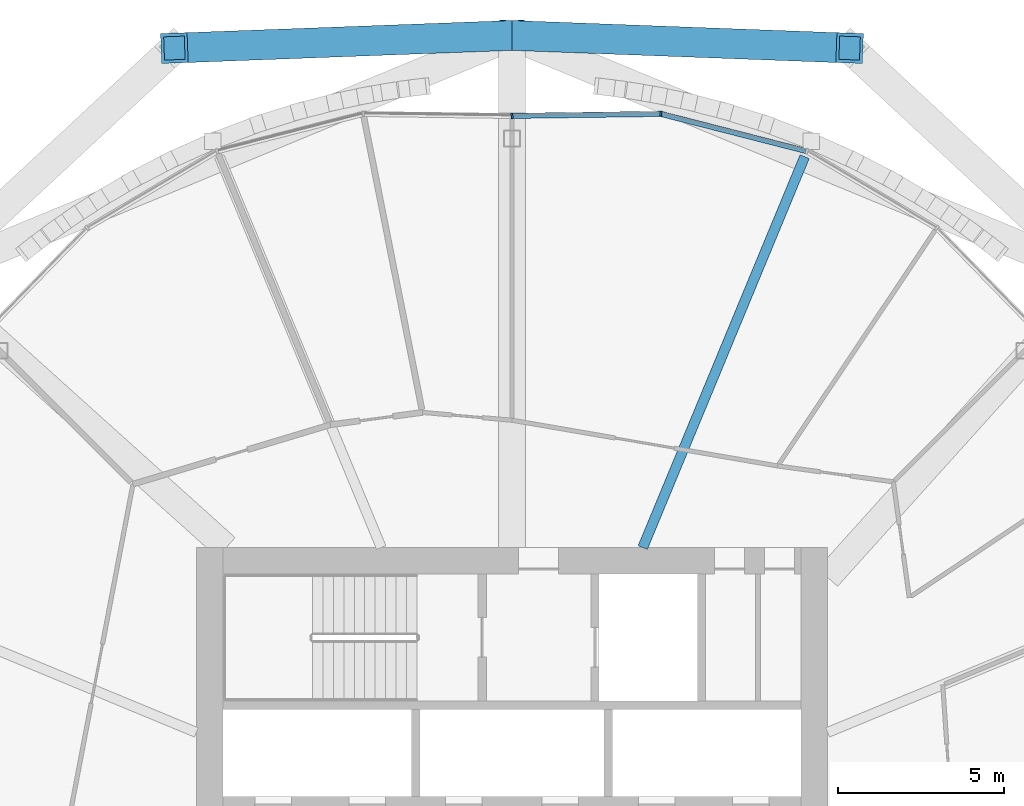
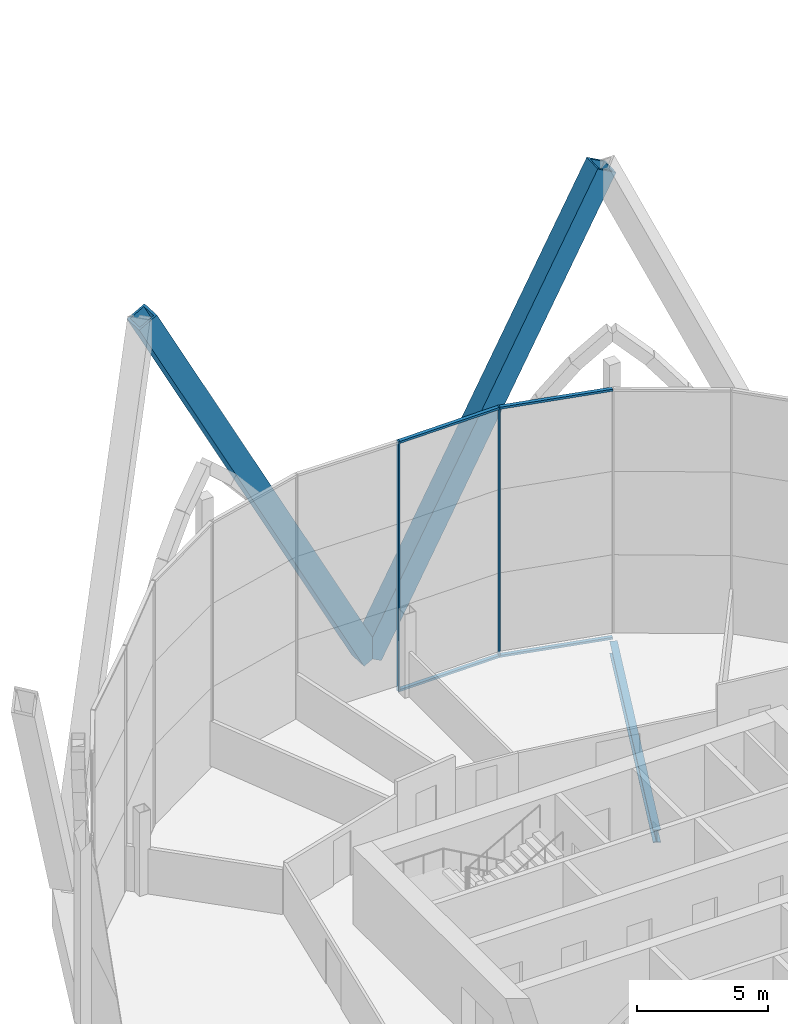
# One storey, part 11 of 37: 8 members, 1 beam, 1 element without a shape of its own.
"""IFC4 building model written with IfcOpenShell, lengths in metres."""

from ifc_helpers import new_model, si_unit, direction, frame, origin, origin_2d, place, context, subcontext, project, spatial, rectangle, hollow_rectangle, i_section, extrude, material, material_profile, profile_set, type_object, element, aggregate, save


model = new_model("IFC4")

# Units and contexts
model_context = context("Model", 3, precision=1e-05, world=origin(), true_north=direction((0.0, 1.0)))
body_context = subcontext(model_context, "Body", "Model", "MODEL_VIEW")
ifc_project = project(units=[si_unit("LENGTHUNIT", "METRE"), si_unit("AREAUNIT", "SQUARE_METRE"), si_unit("VOLUMEUNIT", "CUBIC_METRE"), si_unit("PLANEANGLEUNIT", "RADIAN"), si_unit("MASSUNIT", "GRAM", prefix="KILO")], contexts=[model_context])

# Site, building, storey
site_placement = place(None, origin())
site = spatial("IfcSite", under=ifc_project, at=site_placement, CompositionType="ELEMENT")
building_placement = place(site_placement, origin())
building = spatial("IfcBuilding", under=site, at=building_placement, Name="Ogive Gate Towers", CompositionType="ELEMENT")
storey_placement = place(building_placement, frame((0.0, 0.0, 32.39990234375)))
storey = spatial("IfcBuildingStorey", under=building, at=storey_placement, Name="L06", CompositionType="ELEMENT", Elevation=32.39990234375)

# Members
ifc_material_1 = material(Name="Steel SM460", Category="steel")
ifc_material_profile_1 = material_profile(ifc_material_1, hollow_rectangle(XDim=0.89990234375, YDim=0.89990234375, WallThickness=0.10009765625, at=origin_2d()), Name="BX 900x900x100")
ifc_profile_set_1 = profile_set([ifc_material_profile_1], Name="Steel SM460")
member_type_1 = type_object("IfcMemberType", Name="Diagrid diagonal BX 900x900x100", PredefinedType="BRACE", material=ifc_profile_set_1)
for number, where, z_axis, x_axis, name in (
    (1, (-36.0, 24.909912109375, 0.0), (0.462004857089, -0.017318521171, 0.886708283964), (0.037459273404, 0.999298155125, 0.0), "T1/L06/SDG005"),
    (2, (-36.0, 24.909912109375, 0.0), (-0.462004857089, -0.017318521171, 0.886708283964), (0.037459273404, -0.999298155125, 0.0), "T1/L06/SDG006"),
):
    element("IfcMember", number, at=place(storey_placement, frame(where, z_axis=z_axis, x_axis=x_axis)), inside=storey, type_object=member_type_1, Name=name, PredefinedType="BRACE", context=body_context, shape_type="SweptSolid", body=[
        extrude(hollow_rectangle(XDim=0.89990234375, YDim=0.89990234375, WallThickness=0.10009765625, at=origin_2d()), origin(), (0.0, 0.0, 1.0), 21.991455078125),
    ])

# Beam
ifc_material_2 = material(Name="Steel SM355", Category="steel")
ifc_material_profile_2 = material_profile(ifc_material_2, i_section(OverallWidth=0.300048828125, OverallDepth=0.590087890625, WebThickness=0.012939453125, FlangeThickness=0.02490234375, FilletRadius=0.027099609375, at=origin_2d()), Name="HE 600 A")
ifc_profile_set_2 = profile_set([ifc_material_profile_2], Name="Steel SM355")
beam_type = type_object("IfcBeamType", Name="Radial floor beam HE 600 A", PredefinedType="BEAM", material=ifc_profile_set_2)
beam_placement = place(storey_placement, frame((-32.06494140625, 9.5, -0.594970703125), z_axis=(0.382690523214, 0.923876595354, 0.0), x_axis=(-0.923876595354, 0.382690523214, 0.0)))
element("IfcBeam", 3, at=beam_placement, inside=storey, type_object=beam_type, Name="T1/L06/SBM010", PredefinedType="BEAM", context=body_context, shape_type="SweptSolid", body=[
    extrude(i_section(OverallWidth=0.300048828125, OverallDepth=0.590087890625, WebThickness=0.012939453125, FlangeThickness=0.02490234375, FilletRadius=0.027099609375, at=origin_2d()), origin(), (0.0, 0.0, 1.0), 12.731201171875),
])

# Curtain wall, members
ifc_material_3 = material(Name="Pale metal aluminium", Category="aluminium")
curtain_wall_type = type_object("IfcCurtainWallType", Name="Tower unitised wall, low zone", PredefinedType="NOTDEFINED", material=ifc_material_3)
curtain_wall_placement = place(storey_placement, origin())
curtain_wall = element("IfcCurtainWall", 4, at=curtain_wall_placement, inside=storey, type_object=curtain_wall_type, Name="CW1 T1 ECW02", PredefinedType="NOTDEFINED")
ifc_material_profile_3 = material_profile(ifc_material_3, rectangle(XDim=0.159912109375, YDim=0.06005859375, at=origin_2d()), Name="60 x 160 aluminium box")
ifc_profile_set_3 = profile_set([ifc_material_profile_3], Name="Pale metal aluminium")
member_type_2 = type_object("IfcMemberType", Name="Tower unitised wall, low zone mullion 60 x 160", PredefinedType="MULLION", material=ifc_profile_set_3)
member_1_placement = place(storey_placement, frame((-31.52099609375, 22.550048828125, -0.2998046875), z_axis=(0.0, 0.0, 1.0), x_axis=(0.118247992189, 0.992984094708, 0.0)))
member_1 = element("IfcMember", 5, at=member_1_placement, type_object=member_type_2, Name="CW1 mullion", PredefinedType="MULLION", context=body_context, shape_type="SweptSolid", body=[
    extrude(rectangle(XDim=0.159912109375, YDim=0.06005859375, at=origin_2d()), origin(), (0.0, 0.0, 1.0), 11.699951171875),
])
member_2_placement = place(storey_placement, frame((-35.999755859375, 22.489990234375, -0.2998046875), z_axis=(0.0, 0.0, 1.0), x_axis=(-0.013386275544, 0.999910399799, 0.0)))
member_2 = element("IfcMember", 6, at=member_2_placement, type_object=member_type_2, Name="CW1 mullion", PredefinedType="MULLION", context=body_context, shape_type="SweptSolid", body=[
    extrude(rectangle(XDim=0.159912109375, YDim=0.06005859375, at=origin_2d()), origin(), (0.0, 0.0, 1.0), 11.699951171875),
])
ifc_material_profile_4 = material_profile(ifc_material_3, rectangle(XDim=0.159912109375, YDim=0.10009765625, at=origin_2d()), Name="100 x 160 aluminium box")
ifc_profile_set_4 = profile_set([ifc_material_profile_4], Name="Pale metal aluminium")
member_type_3 = type_object("IfcMemberType", Name="Tower unitised wall, low zone transom 100 x 160", PredefinedType="USERDEFINED", material=ifc_profile_set_4)
member_3_placement = place(storey_placement, frame((-27.151611328125, 21.432373046875, 11.35009765625), z_axis=(-0.968808178302, 0.24781185132, 0.0), x_axis=(-0.24781185132, -0.968808178302, 0.0)))
member_3 = element("IfcMember", 7, at=member_3_placement, type_object=member_type_3, Name="CW1 transom", ObjectType="TRANSOM", PredefinedType="USERDEFINED", context=body_context, shape_type="SweptSolid", body=[
    extrude(rectangle(XDim=0.159912109375, YDim=0.10009765625, at=origin_2d()), origin(), (0.0, 0.0, 1.0), 4.482666015625),
])
member_4_placement = place(storey_placement, frame((-27.151611328125, 21.432373046875, -0.25), z_axis=(-0.968808178302, 0.24781185132, 0.0), x_axis=(-0.24781185132, -0.968808178302, 0.0)))
member_4 = element("IfcMember", 8, at=member_4_placement, type_object=member_type_3, Name="CW1 transom", ObjectType="TRANSOM", PredefinedType="USERDEFINED", context=body_context, shape_type="SweptSolid", body=[
    extrude(rectangle(XDim=0.159912109375, YDim=0.10009765625, at=origin_2d()), origin(), (0.0, 0.0, 1.0), 4.482666015625),
])
member_5_placement = place(storey_placement, frame((-31.54833984375, 22.549560546875, 11.35009765625), z_axis=(-0.99991072997, -0.013361590097, 0.0), x_axis=(0.013361590097, -0.99991072997, 0.0)))
member_5 = element("IfcMember", 9, at=member_5_placement, type_object=member_type_3, Name="CW1 transom", ObjectType="TRANSOM", PredefinedType="USERDEFINED", context=body_context, shape_type="SweptSolid", body=[
    extrude(rectangle(XDim=0.159912109375, YDim=0.10009765625, at=origin_2d()), origin(), (0.0, 0.0, 1.0), 4.421875),
])
member_6_placement = place(storey_placement, frame((-31.54833984375, 22.549560546875, -0.25), z_axis=(-0.99991072997, -0.013361590097, 0.0), x_axis=(0.013361590097, -0.99991072997, 0.0)))
member_6 = element("IfcMember", 10, at=member_6_placement, type_object=member_type_3, Name="CW1 transom", ObjectType="TRANSOM", PredefinedType="USERDEFINED", context=body_context, shape_type="SweptSolid", body=[
    extrude(rectangle(XDim=0.159912109375, YDim=0.10009765625, at=origin_2d()), origin(), (0.0, 0.0, 1.0), 4.421875),
])
aggregate(curtain_wall, [member_1, member_3, member_4, member_2, member_5, member_6])

save(model, "model.ifc")
